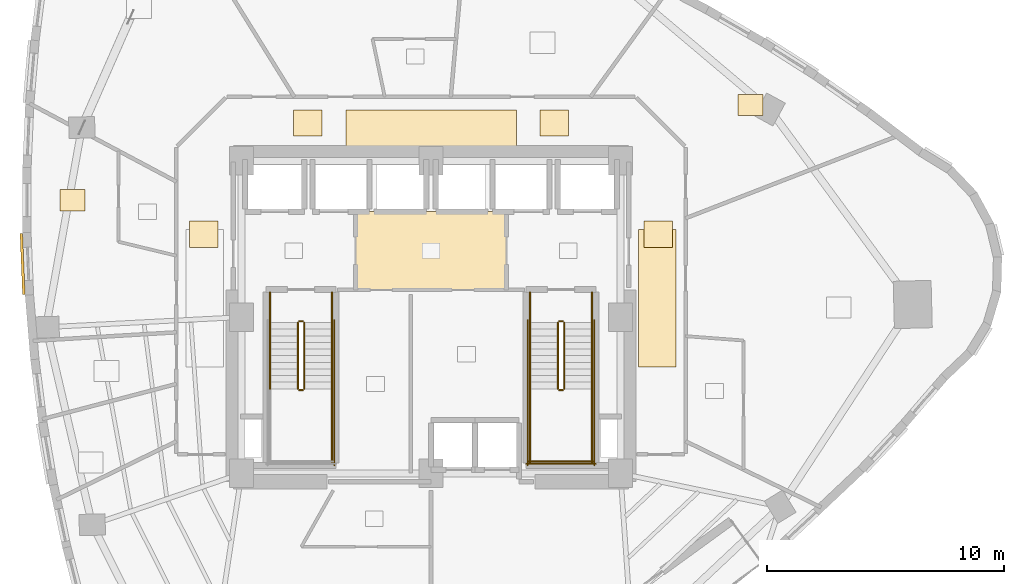
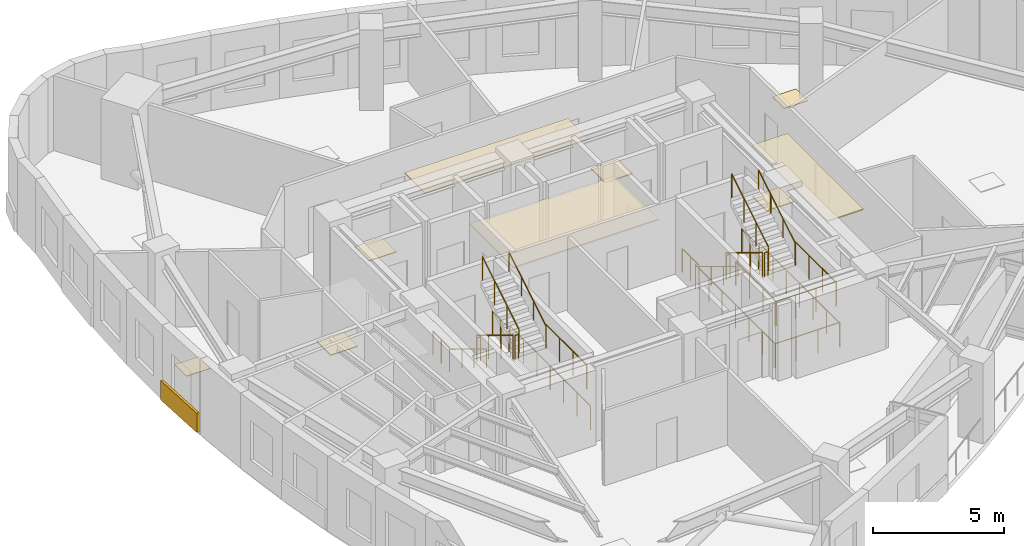
# One storey, part 11 of 12: 24 railings, 10 coverings.
"""IFC4 building model written with IfcOpenShell, lengths in metres."""

from ifc_helpers import new_model, si_unit, direction, frame, origin, origin_2d, place, context, subcontext, project, spatial, rectangle, circle, extrude, material, layer, layer_set, type_object, element, save


model = new_model("IFC4")

# Units and contexts
model_context = context("Model", 3, precision=1e-05, world=origin(), true_north=direction((0.0, 1.0)))
body_context = subcontext(model_context, "Body", "Model", "MODEL_VIEW")
ifc_project = project(units=[si_unit("LENGTHUNIT", "METRE"), si_unit("AREAUNIT", "SQUARE_METRE"), si_unit("VOLUMEUNIT", "CUBIC_METRE"), si_unit("PLANEANGLEUNIT", "RADIAN"), si_unit("MASSUNIT", "GRAM", prefix="KILO")], contexts=[model_context])

# Site, building, storey
site_placement = place(None, origin())
site = spatial("IfcSite", under=ifc_project, at=site_placement, CompositionType="ELEMENT")
building_placement = place(site_placement, origin())
building = spatial("IfcBuilding", under=site, at=building_placement, Name="Ndelora Gate Hotel", CompositionType="ELEMENT")
storey_placement = place(building_placement, frame((0.0, 0.0, 149.75)))
storey = spatial("IfcBuildingStorey", under=building, at=storey_placement, Name="L37", CompositionType="ELEMENT", Elevation=149.75)

# Coverings
ifc_material_1 = material(Name="Perforated Acoustic Gypsum Board", Category="gypsum")
ifc_layer_1 = layer(ifc_material_1, 0.054931640625)
ifc_layer_set_1 = layer_set([ifc_layer_1], Name="Perforated Acoustic Gypsum Board")
covering_type_1 = type_object("IfcCoveringType", Name="COV-CEIL-AC60", PredefinedType="CEILING", material=ifc_layer_set_1)
covering_1_placement = place(storey_placement, frame((0.0, 2.800048828125, 2.72265625), z_axis=(0.0, 0.0, 1.0), x_axis=(1.0, 0.0, 0.0)))
element("IfcCovering", 1, at=covering_1_placement, inside=storey, type_object=covering_type_1, Name="L37 Lift Lobby Acoustic Ceiling", PredefinedType="CEILING", context=body_context, shape_type="SweptSolid", body=[
    extrude(rectangle(XDim=6.39990234375, YDim=3.340087890625, at=origin_2d()), origin(), (0.0, 0.0, 1.0), 0.054931640625),
])
covering_2_placement = place(storey_placement, frame((0.0, 7.9599609375, 2.65234375), z_axis=(0.0, 0.0, 1.0), x_axis=(1.0, 0.0, 0.0)))
element("IfcCovering", 2, at=covering_2_placement, inside=storey, type_object=covering_type_1, Name="L37 Guest Corridor Acoustic Ceiling N", PredefinedType="CEILING", context=body_context, shape_type="SweptSolid", body=[
    extrude(rectangle(XDim=7.199951171875, YDim=1.580078125, at=origin_2d()), origin(), (0.0, 0.0, 1.0), 0.054931640625),
])
covering_3_placement = place(storey_placement, frame((9.550048828125, 0.800048828125, 2.65234375), z_axis=(0.0, 0.0, 1.0), x_axis=(1.0, 0.0, 0.0)))
element("IfcCovering", 3, at=covering_3_placement, inside=storey, type_object=covering_type_1, Name="L37 Guest Corridor Acoustic Ceiling E", PredefinedType="CEILING", context=body_context, shape_type="SweptSolid", body=[
    extrude(rectangle(XDim=1.580078125, YDim=5.800048828125, at=origin_2d()), origin(), (0.0, 0.0, 1.0), 0.054931640625),
])
ifc_material_2 = material(Name="Terracotta Fired Clay Brick Slip Cladding", Category="masonry")
ifc_layer_2 = layer(ifc_material_2, 0.110107421875)
ifc_layer_set_2 = layer_set([ifc_layer_2], Name="Terracotta Fired Clay Brick Slip Cladding")
covering_type_2 = type_object("IfcCoveringType", Name="COV-CLAD-BRK", PredefinedType="CLADDING", material=ifc_layer_set_2)
covering_4_placement = place(storey_placement, frame((-17.249755859375, 2.242431640625, 0.10009765625), z_axis=(0.0, 0.0, 1.0), x_axis=(-0.041003738744, 0.999158993058, 0.0)))
element("IfcCovering", 4, at=covering_4_placement, inside=storey, type_object=covering_type_2, Name="L37 Rounded-Corner Brick Cladding Band 13", PredefinedType="CLADDING", context=body_context, shape_type="SweptSolid", body=[
    extrude(rectangle(XDim=2.583984375, YDim=0.110107421875, at=origin_2d()), origin(), (0.0, 0.0, 1.0), 0.89990234375),
])
ifc_material_3 = material(Name="Engineered Highland Oak Parquet", Category="wood")
ifc_layer_3 = layer(ifc_material_3, 0.030029296875)
ifc_layer_set_3 = layer_set([ifc_layer_3], Name="Engineered Highland Oak Parquet")
covering_type_3 = type_object("IfcCoveringType", Name="COV-FLR-PARQ", PredefinedType="FLOORING", material=ifc_layer_set_3)
for number, where, z_axis, x_axis, name in (
    (5, (13.498779296875, 8.961181640625, 0.0), (0.0, 0.0, 1.0), (1.0, 0.0, 0.0), "L37 Club Fitness Gym Oak Parquet Flooring"),
    (6, (-15.135498046875, 4.940185546875, 0.0), (0.0, 0.0, 1.0), (1.0, 0.0, 0.0), "L37 Club King Guest Room 4004 Oak Parquet Flooring"),
):
    element("IfcCovering", number, at=place(storey_placement, frame(where, z_axis=z_axis, x_axis=x_axis)), inside=storey, type_object=covering_type_3, Name=name, PredefinedType="FLOORING", context=body_context, shape_type="SweptSolid", body=[
        extrude(rectangle(XDim=1.050048828125, YDim=0.89990234375, at=origin_2d()), origin(), (0.0, 0.0, 1.0), 0.030029296875),
    ])
ifc_material_4 = material(Name="Polished Highland Stone Terrazzo", Category="masonry")
ifc_layer_4 = layer(ifc_material_4, 0.034912109375)
ifc_layer_set_4 = layer_set([ifc_layer_4], Name="Polished Highland Stone Terrazzo")
covering_type_4 = type_object("IfcCoveringType", Name="COV-FLR-TERZ", PredefinedType="FLOORING", material=ifc_layer_set_4)
for number, where, z_axis, x_axis, name in (
    (7, (-5.199951171875, 8.199951171875, 0.0), (0.0, 0.0, 1.0), (1.0, 0.0, 0.0), "L37 Corridor Threshold Terrazzo Inlay NW"),
    (8, (5.199951171875, 8.199951171875, 0.0), (0.0, 0.0, 1.0), (1.0, 0.0, 0.0), "L37 Corridor Threshold Terrazzo Inlay NE"),
    (9, (-9.60009765625, 3.5, 0.0), (0.0, 0.0, 1.0), (1.0, 0.0, 0.0), "L37 Corridor Threshold Terrazzo Inlay W"),
    (10, (9.60009765625, 3.5, 0.0), (0.0, 0.0, 1.0), (1.0, 0.0, 0.0), "L37 Corridor Threshold Terrazzo Inlay E"),
):
    element("IfcCovering", number, at=place(storey_placement, frame(where, z_axis=z_axis, x_axis=x_axis)), inside=storey, type_object=covering_type_4, Name=name, PredefinedType="FLOORING", context=body_context, shape_type="SweptSolid", body=[
        extrude(rectangle(XDim=1.199951171875, YDim=1.10009765625, at=origin_2d()), origin(), (0.0, 0.0, 1.0), 0.034912109375),
    ])

# Railings
ifc_material_5 = material(Name="Painted Galvanized Steel Balustrade", Category="steel")
ifc_layer_5 = layer(ifc_material_5, 0.06005859375)
ifc_layer_set_5 = layer_set([ifc_layer_5], Name="Painted Galvanized Steel Balustrade")
railing_type_1 = type_object("IfcRailingType", Name="RL-STAIR-GD", PredefinedType="GUARDRAIL", material=ifc_layer_set_5)
railing_1_placement = place(storey_placement, frame((-5.6201171875, -0.22998046875, 0.17041015625)))
element("IfcRailing", 11, at=railing_1_placement, inside=storey, type_object=railing_type_1, Name="L37 ST4 stair guard 1", PredefinedType="GUARDRAIL", context=body_context, shape_type="SweptSolid", body=[
    extrude(circle(Radius=0.02392578125, at=origin_2d()), frame((0.0, 0.0, 1.10595703125), z_axis=(0.0, -0.854169791009, 0.51999420009), x_axis=(1.0, 0.0, 0.0)), (0.0, 0.0, 1.0), 3.278076171875),
    extrude(circle(Radius=0.02099609375, at=origin_2d()), origin(), (0.0, 0.0, 1.0), 1.081787109375),
    extrude(circle(Radius=0.02099609375, at=origin_2d()), frame((0.0, -0.933349609375, 0.568115234375)), (0.0, 0.0, 1.0), 1.081787109375),
    extrude(circle(Radius=0.02099609375, at=origin_2d()), frame((0.0, -1.86669921875, 1.136474609375)), (0.0, 0.0, 1.0), 1.081787109375),
    extrude(circle(Radius=0.02099609375, at=origin_2d()), frame((0.0, -2.800048828125, 1.70458984375)), (0.0, 0.0, 1.0), 1.081787109375),
])
railing_2_placement = place(storey_placement, frame((-5.570068359375, -3.080078125, 1.875)))
element("IfcRailing", 12, at=railing_2_placement, inside=storey, type_object=railing_type_1, Name="L37 ST4 stair guard 2", PredefinedType="GUARDRAIL", context=body_context, shape_type="SweptSolid", body=[
    extrude(circle(Radius=0.02392578125, at=origin_2d()), frame((0.0, 0.0, 1.10595703125), z_axis=(1.0, 0.0, 0.0), x_axis=(0.0, 1.0, 0.0)), (0.0, 0.0, 1.0), 0.16015625),
    extrude(circle(Radius=0.02099609375, at=origin_2d()), origin(), (0.0, 0.0, 1.0), 1.081787109375),
    extrude(circle(Radius=0.02099609375, at=origin_2d()), frame((0.16015625, 0.0, 0.0)), (0.0, 0.0, 1.0), 1.081787109375),
])
railing_3_placement = place(storey_placement, frame((-4.179931640625, -3.030029296875, 1.875)))
element("IfcRailing", 13, at=railing_3_placement, inside=storey, type_object=railing_type_1, Name="L37 ST4 stair guard 4", PredefinedType="GUARDRAIL", context=body_context, shape_type="SweptSolid", body=[
    extrude(circle(Radius=0.02392578125, at=origin_2d()), frame((0.0, 0.0, 1.10595703125), z_axis=(0.0, -1.0, 0.0), x_axis=(1.0, 0.0, 0.0)), (0.0, 0.0, 1.0), 3.119873046875),
    extrude(circle(Radius=0.02099609375, at=origin_2d()), origin(), (0.0, 0.0, 1.0), 1.081787109375),
    extrude(circle(Radius=0.02099609375, at=origin_2d()), frame((0.0, -1.0400390625, 0.0)), (0.0, 0.0, 1.0), 1.081787109375),
    extrude(circle(Radius=0.02099609375, at=origin_2d()), frame((0.0, -2.079833984375, 0.0)), (0.0, 0.0, 1.0), 1.081787109375),
    extrude(circle(Radius=0.02099609375, at=origin_2d()), frame((0.0, -3.119873046875, 0.0)), (0.0, 0.0, 1.0), 1.081787109375),
])
railing_4_placement = place(storey_placement, frame((-5.360107421875, -3.030029296875, 2.04541015625)))
element("IfcRailing", 14, at=railing_4_placement, inside=storey, type_object=railing_type_1, Name="L37 ST4 stair guard 6", PredefinedType="GUARDRAIL", context=body_context, shape_type="SweptSolid", body=[
    extrude(circle(Radius=0.02392578125, at=origin_2d()), frame((0.0, 0.0, 1.10595703125), z_axis=(0.0, 0.854169791009, 0.51999420009), x_axis=(-1.0, 0.0, 0.0)), (0.0, 0.0, 1.0), 3.278076171875),
    extrude(circle(Radius=0.02099609375, at=origin_2d()), origin(), (0.0, 0.0, 1.0), 1.081787109375),
    extrude(circle(Radius=0.02099609375, at=origin_2d()), frame((0.0, 0.933349609375, 0.568115234375)), (0.0, 0.0, 1.0), 1.081787109375),
    extrude(circle(Radius=0.02099609375, at=origin_2d()), frame((0.0, 1.86669921875, 1.136474609375)), (0.0, 0.0, 1.0), 1.081787109375),
    extrude(circle(Radius=0.02099609375, at=origin_2d()), frame((0.0, 2.800048828125, 1.70458984375)), (0.0, 0.0, 1.0), 1.081787109375),
])
railing_5_placement = place(storey_placement, frame((-5.570068359375, -0.179931640625, 0.0)))
element("IfcRailing", 15, at=railing_5_placement, inside=storey, type_object=railing_type_1, Name="L37 ST4 stair guard 7", PredefinedType="GUARDRAIL", context=body_context, shape_type="SweptSolid", body=[
    extrude(circle(Radius=0.02392578125, at=origin_2d()), frame((0.0, 0.0, 1.10595703125), z_axis=(1.0, 0.0, 0.0), x_axis=(0.0, 1.0, 0.0)), (0.0, 0.0, 1.0), 0.16015625),
    extrude(circle(Radius=0.02099609375, at=origin_2d()), origin(), (0.0, 0.0, 1.0), 1.081787109375),
    extrude(circle(Radius=0.02099609375, at=origin_2d()), frame((0.16015625, 0.0, 0.0)), (0.0, 0.0, 1.0), 1.081787109375),
])
for number, where, name in (
    (16, (-6.800048828125, 1.050048828125, 0.0), "L37 ST4 stair guard 8"),
    (17, (-4.179931640625, 1.050048828125, 0.0), "L37 ST4 stair guard 9"),
):
    element("IfcRailing", number, at=place(storey_placement, frame(where)), inside=storey, type_object=railing_type_1, Name=name, PredefinedType="GUARDRAIL", context=body_context, shape_type="SweptSolid", body=[
        extrude(circle(Radius=0.02392578125, at=origin_2d()), frame((0.0, 0.0, 1.10595703125), z_axis=(0.0, -1.0, 0.0), x_axis=(1.0, 0.0, 0.0)), (0.0, 0.0, 1.0), 1.280029296875),
        extrude(circle(Radius=0.02099609375, at=origin_2d()), origin(), (0.0, 0.0, 1.0), 1.081787109375),
        extrude(circle(Radius=0.02099609375, at=origin_2d()), frame((0.0, -0.64013671875, 0.0)), (0.0, 0.0, 1.0), 1.081787109375),
        extrude(circle(Radius=0.02099609375, at=origin_2d()), frame((0.0, -1.280029296875, 0.0)), (0.0, 0.0, 1.0), 1.081787109375),
    ])
railing_6_placement = place(storey_placement, frame((-4.080078125, -0.1298828125, 0.0)))
element("IfcRailing", 18, at=railing_6_placement, inside=storey, type_object=railing_type_1, Name="L37 ST4 stair guard 11", PredefinedType="GUARDRAIL", context=body_context, shape_type="SweptSolid", body=[
    extrude(circle(Radius=0.02392578125, at=origin_2d()), frame((0.0, 0.0, 1.10595703125), z_axis=(0.0, -1.0, 0.0), x_axis=(1.0, 0.0, 0.0)), (0.0, 0.0, 1.0), 6.1201171875),
    extrude(circle(Radius=0.02099609375, at=origin_2d()), origin(), (0.0, 0.0, 1.0), 1.081787109375),
    extrude(circle(Radius=0.02099609375, at=origin_2d()), frame((0.0, -1.02001953125, 0.0)), (0.0, 0.0, 1.0), 1.081787109375),
    extrude(circle(Radius=0.02099609375, at=origin_2d()), frame((0.0, -2.0400390625, 0.0)), (0.0, 0.0, 1.0), 1.081787109375),
    extrude(circle(Radius=0.02099609375, at=origin_2d()), frame((0.0, -3.06005859375, 0.0)), (0.0, 0.0, 1.0), 1.081787109375),
    extrude(circle(Radius=0.02099609375, at=origin_2d()), frame((0.0, -4.080078125, 0.0)), (0.0, 0.0, 1.0), 1.081787109375),
    extrude(circle(Radius=0.02099609375, at=origin_2d()), frame((0.0, -5.10009765625, 0.0)), (0.0, 0.0, 1.0), 1.081787109375),
    extrude(circle(Radius=0.02099609375, at=origin_2d()), frame((0.0, -6.1201171875, 0.0)), (0.0, 0.0, 1.0), 1.081787109375),
])
railing_7_placement = place(storey_placement, frame((5.360107421875, -0.22998046875, 0.17041015625)))
element("IfcRailing", 19, at=railing_7_placement, inside=storey, type_object=railing_type_1, Name="L37 ST5 stair guard 1", PredefinedType="GUARDRAIL", context=body_context, shape_type="SweptSolid", body=[
    extrude(circle(Radius=0.02392578125, at=origin_2d()), frame((0.0, 0.0, 1.10595703125), z_axis=(0.0, -0.854169791009, 0.51999420009), x_axis=(1.0, 0.0, 0.0)), (0.0, 0.0, 1.0), 3.278076171875),
    extrude(circle(Radius=0.02099609375, at=origin_2d()), origin(), (0.0, 0.0, 1.0), 1.081787109375),
    extrude(circle(Radius=0.02099609375, at=origin_2d()), frame((0.0, -0.933349609375, 0.568115234375)), (0.0, 0.0, 1.0), 1.081787109375),
    extrude(circle(Radius=0.02099609375, at=origin_2d()), frame((0.0, -1.86669921875, 1.136474609375)), (0.0, 0.0, 1.0), 1.081787109375),
    extrude(circle(Radius=0.02099609375, at=origin_2d()), frame((0.0, -2.800048828125, 1.70458984375)), (0.0, 0.0, 1.0), 1.081787109375),
])
railing_8_placement = place(storey_placement, frame((5.409912109375, -3.080078125, 1.875)))
element("IfcRailing", 20, at=railing_8_placement, inside=storey, type_object=railing_type_1, Name="L37 ST5 stair guard 2", PredefinedType="GUARDRAIL", context=body_context, shape_type="SweptSolid", body=[
    extrude(circle(Radius=0.02392578125, at=origin_2d()), frame((0.0, 0.0, 1.10595703125), z_axis=(1.0, 0.0, 0.0), x_axis=(0.0, 1.0, 0.0)), (0.0, 0.0, 1.0), 0.16015625),
    extrude(circle(Radius=0.02099609375, at=origin_2d()), origin(), (0.0, 0.0, 1.0), 1.081787109375),
    extrude(circle(Radius=0.02099609375, at=origin_2d()), frame((0.16015625, 0.0, 0.0)), (0.0, 0.0, 1.0), 1.081787109375),
])
for number, where, name in (
    (21, (4.179931640625, -3.030029296875, 1.875), "L37 ST5 stair guard 3"),
    (22, (6.800048828125, -3.030029296875, 1.875), "L37 ST5 stair guard 4"),
):
    element("IfcRailing", number, at=place(storey_placement, frame(where)), inside=storey, type_object=railing_type_1, Name=name, PredefinedType="GUARDRAIL", context=body_context, shape_type="SweptSolid", body=[
        extrude(circle(Radius=0.02392578125, at=origin_2d()), frame((0.0, 0.0, 1.10595703125), z_axis=(0.0, -1.0, 0.0), x_axis=(1.0, 0.0, 0.0)), (0.0, 0.0, 1.0), 3.119873046875),
        extrude(circle(Radius=0.02099609375, at=origin_2d()), origin(), (0.0, 0.0, 1.0), 1.081787109375),
        extrude(circle(Radius=0.02099609375, at=origin_2d()), frame((0.0, -1.0400390625, 0.0)), (0.0, 0.0, 1.0), 1.081787109375),
        extrude(circle(Radius=0.02099609375, at=origin_2d()), frame((0.0, -2.079833984375, 0.0)), (0.0, 0.0, 1.0), 1.081787109375),
        extrude(circle(Radius=0.02099609375, at=origin_2d()), frame((0.0, -3.119873046875, 0.0)), (0.0, 0.0, 1.0), 1.081787109375),
    ])
railing_9_placement = place(storey_placement, frame((4.1298828125, -6.10009765625, 1.875)))
element("IfcRailing", 23, at=railing_9_placement, inside=storey, type_object=railing_type_1, Name="L37 ST5 stair guard 5", PredefinedType="GUARDRAIL", context=body_context, shape_type="SweptSolid", body=[
    extrude(circle(Radius=0.02392578125, at=origin_2d()), frame((0.0, 0.0, 1.10595703125), z_axis=(1.0, 0.0, 0.0), x_axis=(0.0, 1.0, 0.0)), (0.0, 0.0, 1.0), 2.72021484375),
    extrude(circle(Radius=0.02099609375, at=origin_2d()), origin(), (0.0, 0.0, 1.0), 1.081787109375),
    extrude(circle(Radius=0.02099609375, at=origin_2d()), frame((0.90673828125, 0.0, 0.0)), (0.0, 0.0, 1.0), 1.081787109375),
    extrude(circle(Radius=0.02099609375, at=origin_2d()), frame((1.8134765625, 0.0, 0.0)), (0.0, 0.0, 1.0), 1.081787109375),
    extrude(circle(Radius=0.02099609375, at=origin_2d()), frame((2.72021484375, 0.0, 0.0)), (0.0, 0.0, 1.0), 1.081787109375),
])
railing_10_placement = place(storey_placement, frame((5.6201171875, -3.030029296875, 2.04541015625)))
element("IfcRailing", 24, at=railing_10_placement, inside=storey, type_object=railing_type_1, Name="L37 ST5 stair guard 6", PredefinedType="GUARDRAIL", context=body_context, shape_type="SweptSolid", body=[
    extrude(circle(Radius=0.02392578125, at=origin_2d()), frame((0.0, 0.0, 1.10595703125), z_axis=(0.0, 0.854169791009, 0.51999420009), x_axis=(-1.0, 0.0, 0.0)), (0.0, 0.0, 1.0), 3.278076171875),
    extrude(circle(Radius=0.02099609375, at=origin_2d()), origin(), (0.0, 0.0, 1.0), 1.081787109375),
    extrude(circle(Radius=0.02099609375, at=origin_2d()), frame((0.0, 0.933349609375, 0.568115234375)), (0.0, 0.0, 1.0), 1.081787109375),
    extrude(circle(Radius=0.02099609375, at=origin_2d()), frame((0.0, 1.86669921875, 1.136474609375)), (0.0, 0.0, 1.0), 1.081787109375),
    extrude(circle(Radius=0.02099609375, at=origin_2d()), frame((0.0, 2.800048828125, 1.70458984375)), (0.0, 0.0, 1.0), 1.081787109375),
])
railing_11_placement = place(storey_placement, frame((5.409912109375, -0.179931640625, 0.0)))
element("IfcRailing", 25, at=railing_11_placement, inside=storey, type_object=railing_type_1, Name="L37 ST5 stair guard 7", PredefinedType="GUARDRAIL", context=body_context, shape_type="SweptSolid", body=[
    extrude(circle(Radius=0.02392578125, at=origin_2d()), frame((0.0, 0.0, 1.10595703125), z_axis=(1.0, 0.0, 0.0), x_axis=(0.0, 1.0, 0.0)), (0.0, 0.0, 1.0), 0.16015625),
    extrude(circle(Radius=0.02099609375, at=origin_2d()), origin(), (0.0, 0.0, 1.0), 1.081787109375),
    extrude(circle(Radius=0.02099609375, at=origin_2d()), frame((0.16015625, 0.0, 0.0)), (0.0, 0.0, 1.0), 1.081787109375),
])
for number, where, name in (
    (26, (4.179931640625, 1.050048828125, 0.0), "L37 ST5 stair guard 8"),
    (27, (6.800048828125, 1.050048828125, 0.0), "L37 ST5 stair guard 9"),
):
    element("IfcRailing", number, at=place(storey_placement, frame(where)), inside=storey, type_object=railing_type_1, Name=name, PredefinedType="GUARDRAIL", context=body_context, shape_type="SweptSolid", body=[
        extrude(circle(Radius=0.02392578125, at=origin_2d()), frame((0.0, 0.0, 1.10595703125), z_axis=(0.0, -1.0, 0.0), x_axis=(1.0, 0.0, 0.0)), (0.0, 0.0, 1.0), 1.280029296875),
        extrude(circle(Radius=0.02099609375, at=origin_2d()), origin(), (0.0, 0.0, 1.0), 1.081787109375),
        extrude(circle(Radius=0.02099609375, at=origin_2d()), frame((0.0, -0.64013671875, 0.0)), (0.0, 0.0, 1.0), 1.081787109375),
        extrude(circle(Radius=0.02099609375, at=origin_2d()), frame((0.0, -1.280029296875, 0.0)), (0.0, 0.0, 1.0), 1.081787109375),
    ])
for number, where, name in (
    (28, (4.080078125, -0.1298828125, 0.0), "L37 ST5 stair guard 10"),
    (29, (6.89990234375, -0.1298828125, 0.0), "L37 ST5 stair guard 11"),
):
    element("IfcRailing", number, at=place(storey_placement, frame(where)), inside=storey, type_object=railing_type_1, Name=name, PredefinedType="GUARDRAIL", context=body_context, shape_type="SweptSolid", body=[
        extrude(circle(Radius=0.02392578125, at=origin_2d()), frame((0.0, 0.0, 1.10595703125), z_axis=(0.0, -1.0, 0.0), x_axis=(1.0, 0.0, 0.0)), (0.0, 0.0, 1.0), 6.1201171875),
        extrude(circle(Radius=0.02099609375, at=origin_2d()), origin(), (0.0, 0.0, 1.0), 1.081787109375),
        extrude(circle(Radius=0.02099609375, at=origin_2d()), frame((0.0, -1.02001953125, 0.0)), (0.0, 0.0, 1.0), 1.081787109375),
        extrude(circle(Radius=0.02099609375, at=origin_2d()), frame((0.0, -2.0400390625, 0.0)), (0.0, 0.0, 1.0), 1.081787109375),
        extrude(circle(Radius=0.02099609375, at=origin_2d()), frame((0.0, -3.06005859375, 0.0)), (0.0, 0.0, 1.0), 1.081787109375),
        extrude(circle(Radius=0.02099609375, at=origin_2d()), frame((0.0, -4.080078125, 0.0)), (0.0, 0.0, 1.0), 1.081787109375),
        extrude(circle(Radius=0.02099609375, at=origin_2d()), frame((0.0, -5.10009765625, 0.0)), (0.0, 0.0, 1.0), 1.081787109375),
        extrude(circle(Radius=0.02099609375, at=origin_2d()), frame((0.0, -6.1201171875, 0.0)), (0.0, 0.0, 1.0), 1.081787109375),
    ])
railing_12_placement = place(storey_placement, frame((4.030029296875, -6.199951171875, 0.0)))
element("IfcRailing", 30, at=railing_12_placement, inside=storey, type_object=railing_type_1, Name="L37 ST5 stair guard 12", PredefinedType="GUARDRAIL", context=body_context, shape_type="SweptSolid", body=[
    extrude(circle(Radius=0.02392578125, at=origin_2d()), frame((0.0, 0.0, 1.10595703125), z_axis=(1.0, 0.0, 0.0), x_axis=(0.0, 1.0, 0.0)), (0.0, 0.0, 1.0), 2.919921875),
    extrude(circle(Radius=0.02099609375, at=origin_2d()), origin(), (0.0, 0.0, 1.0), 1.081787109375),
    extrude(circle(Radius=0.02099609375, at=origin_2d()), frame((0.973388671875, 0.0, 0.0)), (0.0, 0.0, 1.0), 1.081787109375),
    extrude(circle(Radius=0.02099609375, at=origin_2d()), frame((1.946533203125, 0.0, 0.0)), (0.0, 0.0, 1.0), 1.081787109375),
    extrude(circle(Radius=0.02099609375, at=origin_2d()), frame((2.919921875, 0.0, 0.0)), (0.0, 0.0, 1.0), 1.081787109375),
])
ifc_material_6 = material(Name="Brushed Stainless Steel 316", Category="steel")
ifc_layer_6 = layer(ifc_material_6, 0.050048828125)
ifc_layer_set_6 = layer_set([ifc_layer_6], Name="Brushed Stainless Steel 316")
railing_type_2 = type_object("IfcRailingType", Name="RL-STAIR-HR", PredefinedType="HANDRAIL", material=ifc_layer_set_6)
railing_13_placement = place(storey_placement, frame((-6.800048828125, -0.22998046875, 0.17041015625)))
element("IfcRailing", 31, at=railing_13_placement, inside=storey, type_object=railing_type_2, Name="L37 ST4 stair handrail 1", PredefinedType="HANDRAIL", context=body_context, shape_type="SweptSolid", body=[
    extrude(circle(Radius=0.02392578125, at=origin_2d()), frame((0.0, 0.0, 0.8759765625), z_axis=(0.0, -0.854169791009, 0.51999420009), x_axis=(1.0, 0.0, 0.0)), (0.0, 0.0, 1.0), 3.278076171875),
    extrude(circle(Radius=0.02099609375, at=origin_2d()), origin(), (0.0, 0.0, 1.0), 0.851806640625),
    extrude(circle(Radius=0.02099609375, at=origin_2d()), frame((0.0, -0.933349609375, 0.568115234375)), (0.0, 0.0, 1.0), 0.851806640625),
    extrude(circle(Radius=0.02099609375, at=origin_2d()), frame((0.0, -1.86669921875, 1.136474609375)), (0.0, 0.0, 1.0), 0.851806640625),
    extrude(circle(Radius=0.02099609375, at=origin_2d()), frame((0.0, -2.800048828125, 1.70458984375)), (0.0, 0.0, 1.0), 0.851806640625),
])
railing_14_placement = place(storey_placement, frame((-4.179931640625, -3.030029296875, 2.04541015625)))
element("IfcRailing", 32, at=railing_14_placement, inside=storey, type_object=railing_type_2, Name="L37 ST4 stair handrail 2", PredefinedType="HANDRAIL", context=body_context, shape_type="SweptSolid", body=[
    extrude(circle(Radius=0.02392578125, at=origin_2d()), frame((0.0, 0.0, 0.8759765625), z_axis=(0.0, 0.854169791009, 0.51999420009), x_axis=(-1.0, 0.0, 0.0)), (0.0, 0.0, 1.0), 3.278076171875),
    extrude(circle(Radius=0.02099609375, at=origin_2d()), origin(), (0.0, 0.0, 1.0), 0.851806640625),
    extrude(circle(Radius=0.02099609375, at=origin_2d()), frame((0.0, 0.933349609375, 0.568115234375)), (0.0, 0.0, 1.0), 0.851806640625),
    extrude(circle(Radius=0.02099609375, at=origin_2d()), frame((0.0, 1.86669921875, 1.136474609375)), (0.0, 0.0, 1.0), 0.851806640625),
    extrude(circle(Radius=0.02099609375, at=origin_2d()), frame((0.0, 2.800048828125, 1.70458984375)), (0.0, 0.0, 1.0), 0.851806640625),
])
railing_15_placement = place(storey_placement, frame((4.179931640625, -0.22998046875, 0.17041015625)))
element("IfcRailing", 33, at=railing_15_placement, inside=storey, type_object=railing_type_2, Name="L37 ST5 stair handrail 1", PredefinedType="HANDRAIL", context=body_context, shape_type="SweptSolid", body=[
    extrude(circle(Radius=0.02392578125, at=origin_2d()), frame((0.0, 0.0, 0.8759765625), z_axis=(0.0, -0.854169791009, 0.51999420009), x_axis=(1.0, 0.0, 0.0)), (0.0, 0.0, 1.0), 3.278076171875),
    extrude(circle(Radius=0.02099609375, at=origin_2d()), origin(), (0.0, 0.0, 1.0), 0.851806640625),
    extrude(circle(Radius=0.02099609375, at=origin_2d()), frame((0.0, -0.933349609375, 0.568115234375)), (0.0, 0.0, 1.0), 0.851806640625),
    extrude(circle(Radius=0.02099609375, at=origin_2d()), frame((0.0, -1.86669921875, 1.136474609375)), (0.0, 0.0, 1.0), 0.851806640625),
    extrude(circle(Radius=0.02099609375, at=origin_2d()), frame((0.0, -2.800048828125, 1.70458984375)), (0.0, 0.0, 1.0), 0.851806640625),
])
railing_16_placement = place(storey_placement, frame((6.800048828125, -3.030029296875, 2.04541015625)))
element("IfcRailing", 34, at=railing_16_placement, inside=storey, type_object=railing_type_2, Name="L37 ST5 stair handrail 2", PredefinedType="HANDRAIL", context=body_context, shape_type="SweptSolid", body=[
    extrude(circle(Radius=0.02392578125, at=origin_2d()), frame((0.0, 0.0, 0.8759765625), z_axis=(0.0, 0.854169791009, 0.51999420009), x_axis=(-1.0, 0.0, 0.0)), (0.0, 0.0, 1.0), 3.278076171875),
    extrude(circle(Radius=0.02099609375, at=origin_2d()), origin(), (0.0, 0.0, 1.0), 0.851806640625),
    extrude(circle(Radius=0.02099609375, at=origin_2d()), frame((0.0, 0.933349609375, 0.568115234375)), (0.0, 0.0, 1.0), 0.851806640625),
    extrude(circle(Radius=0.02099609375, at=origin_2d()), frame((0.0, 1.86669921875, 1.136474609375)), (0.0, 0.0, 1.0), 0.851806640625),
    extrude(circle(Radius=0.02099609375, at=origin_2d()), frame((0.0, 2.800048828125, 1.70458984375)), (0.0, 0.0, 1.0), 0.851806640625),
])

save(model, "model.ifc")
